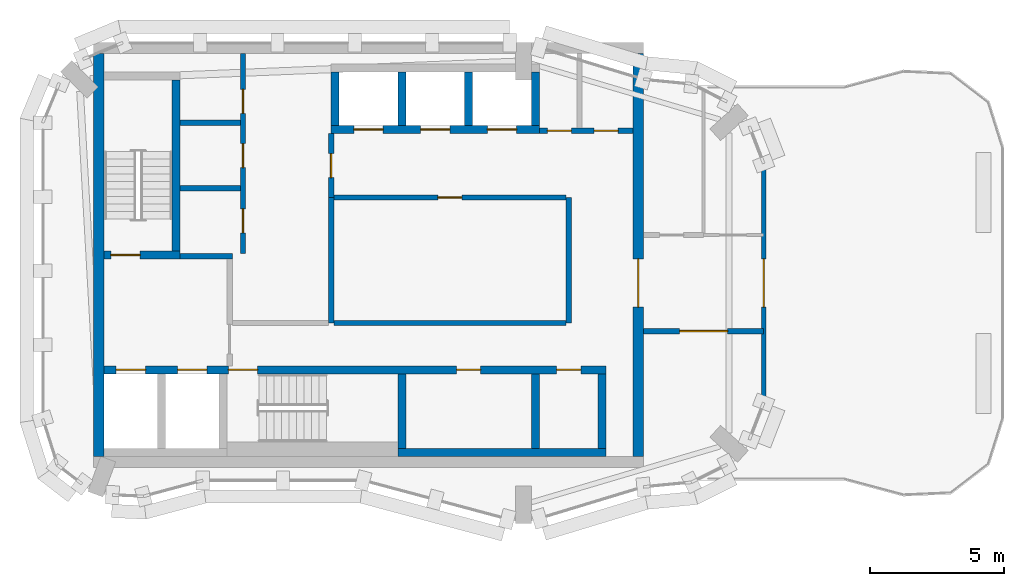
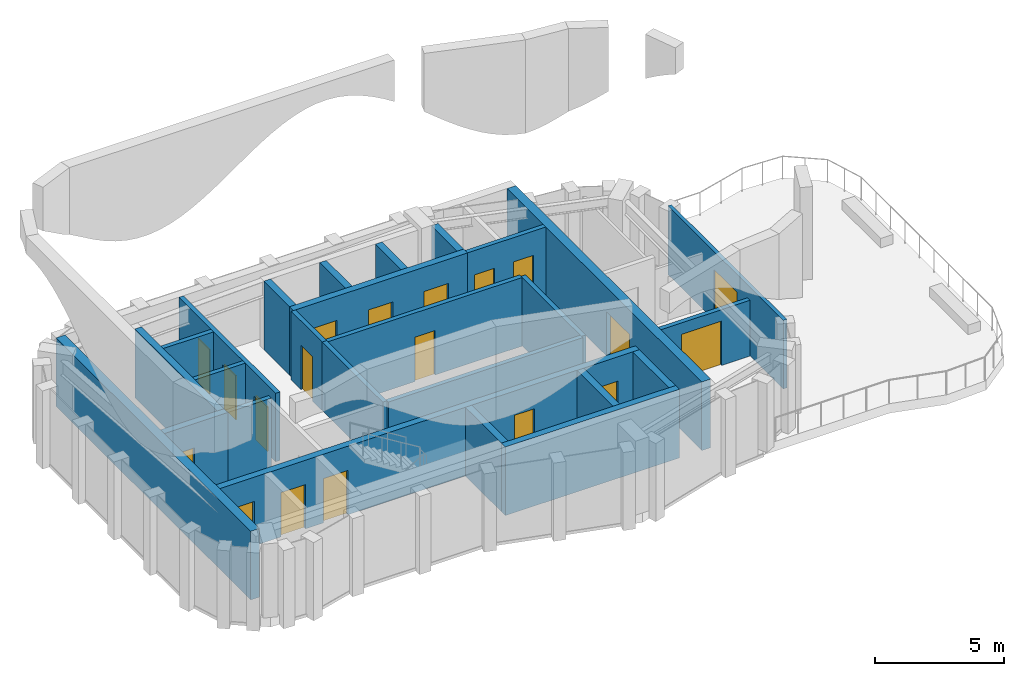
# One storey, part 3 of 7: 26 walls, 19 doors, 19 openings.
"""IFC4 building model written with IfcOpenShell, lengths in metres."""

from ifc_helpers import new_model, si_unit, direction, frame, frame_2d, origin, place, context, subcontext, project, spatial, rectangle, extrude, material, layer, layer_set, type_object, element, fill, save


model = new_model("IFC4")

# Units and contexts
model_context = context("Model", 3, precision=1e-05, world=origin(), true_north=direction((0.0, 1.0)))
body_context = subcontext(model_context, "Body", "Model", "MODEL_VIEW")
ifc_project = project(units=[si_unit("LENGTHUNIT", "METRE"), si_unit("AREAUNIT", "SQUARE_METRE"), si_unit("VOLUMEUNIT", "CUBIC_METRE"), si_unit("PLANEANGLEUNIT", "RADIAN"), si_unit("MASSUNIT", "GRAM", prefix="KILO")], contexts=[model_context])

# Site, building, storey
site_placement = place(None, origin())
site = spatial("IfcSite", under=ifc_project, at=site_placement, CompositionType="ELEMENT")
building_placement = place(site_placement, origin())
building = spatial("IfcBuilding", under=site, at=building_placement, Name="Plateau Cross Towers", CompositionType="ELEMENT")
storey_placement = place(building_placement, frame((0.0, 0.0, 301.89990234375)))
storey = spatial("IfcBuildingStorey", under=building, at=storey_placement, Name="L80 Crown 3", CompositionType="ELEMENT", Elevation=301.89990234375)

# Wall
ifc_material_1 = material(Name="Concrete block, plastered both sides", Category="concrete")
ifc_layer_1 = layer(ifc_material_1, 0.199951171875)
ifc_layer_set_1 = layer_set([ifc_layer_1], Name="Concrete block, plastered both sides")
wall_type_1 = type_object("IfcWallType", Name="Core partition 200", PredefinedType="PARTITIONING", material=ifc_layer_set_1)
wall_1_placement = place(storey_placement, frame((5.14990234375, 10.0, 0.0), z_axis=(0.0, 0.0, 1.0), x_axis=(1.0, 0.0, 0.0)))
element("IfcWall", 1, at=wall_1_placement, inside=storey, type_object=wall_type_1, Name="Core partition", PredefinedType="PARTITIONING", context=body_context, shape_type="SweptSolid", body=[
    extrude(rectangle(XDim=1.9501953125, YDim=0.199951171875, at=frame_2d((0.97509765625, 0.0))), origin(), (0.0, 0.0, 1.0), 3.25),
])

# Wall, opening, door
wall_2_placement = place(storey_placement, frame((10.800048828125, 12.199951171875, 0.0), z_axis=(0.0, 0.0, 1.0), x_axis=(0.0, 1.0, 0.0)))
wall_2 = element("IfcWall", 2, at=wall_2_placement, inside=storey, type_object=wall_type_1, Name="Core partition", PredefinedType="PARTITIONING", context=body_context, shape_type="SweptSolid", body=[
    extrude(rectangle(XDim=2.400146484375, YDim=0.199951171875, at=frame_2d((1.2001953125, 0.0))), origin(), (0.0, 0.0, 1.0), 3.25),
])
opening_1_placement = place(wall_2_placement, frame((0.75, 0.0, 0.0)))
opening_1 = element("IfcOpeningElement", 3, at=opening_1_placement, cuts=wall_2, Name="Opening RD1", PredefinedType="OPENING", context=body_context, shape_type="SweptSolid", body=[
    extrude(rectangle(XDim=0.89990234375, YDim=2.10009765625, at=frame_2d((0.449951171875, 1.050048828125))), frame((0.0, 0.10986328125, 0.0), z_axis=(0.0, -1.0, 0.0), x_axis=(1.0, 0.0, 0.0)), (0.0, 0.0, 1.0), 0.219970703125),
])
ifc_material_2 = material(Name="Timber, fire-resisting leaf", Category="wood")
door_type_1 = type_object("IfcDoorType", Name="Core service door 900", OperationType="NOTDEFINED", PredefinedType="DOOR", material=ifc_material_2)
door_1_placement = place(opening_1_placement, origin())
door_1 = element("IfcDoor", 4, at=door_1_placement, inside=storey, type_object=door_type_1, Name="Core service door RD1", OperationType="SINGLE_SWING_LEFT", OverallHeight=2.10009765625, OverallWidth=0.89990234375, PredefinedType="DOOR", context=body_context, shape_type="SweptSolid", body=[
    extrude(rectangle(XDim=0.89990234375, YDim=2.10009765625, at=frame_2d((0.449951171875, 1.050048828125))), frame((0.0, 0.02490234375, 0.0), z_axis=(0.0, -1.0, 0.0), x_axis=(1.0, 0.0, 0.0)), (0.0, 0.0, 1.0), 0.050048828125),
])
fill(opening_1, door_1)

# Walls
wall_3_placement = place(storey_placement, frame((10.800048828125, 7.5, 0.0), z_axis=(0.0, 0.0, 1.0), x_axis=(0.0, 1.0, 0.0)))
element("IfcWall", 5, at=wall_3_placement, inside=storey, type_object=wall_type_1, Name="Core partition", PredefinedType="PARTITIONING", context=body_context, shape_type="SweptSolid", body=[
    extrude(rectangle(XDim=4.699951171875, YDim=0.199951171875, at=frame_2d((2.35009765625, 0.0))), origin(), (0.0, 0.0, 1.0), 3.25),
])
wall_4_placement = place(storey_placement, frame((10.89990234375, 7.5, 0.0), z_axis=(0.0, 0.0, 1.0), x_axis=(1.0, 0.0, 0.0)))
element("IfcWall", 6, at=wall_4_placement, inside=storey, type_object=wall_type_1, Name="Core partition", PredefinedType="PARTITIONING", context=body_context, shape_type="SweptSolid", body=[
    extrude(rectangle(XDim=8.7001953125, YDim=0.199951171875, at=frame_2d((4.35009765625, 0.0))), origin(), (0.0, 0.0, 1.0), 3.25),
])
wall_5_placement = place(storey_placement, frame((19.699951171875, 7.5, 0.0), z_axis=(0.0, 0.0, 1.0), x_axis=(0.0, 1.0, 0.0)))
element("IfcWall", 7, at=wall_5_placement, inside=storey, type_object=wall_type_1, Name="Core partition", PredefinedType="PARTITIONING", context=body_context, shape_type="SweptSolid", body=[
    extrude(rectangle(XDim=4.699951171875, YDim=0.199951171875, at=frame_2d((2.35009765625, 0.0))), origin(), (0.0, 0.0, 1.0), 3.25),
])

# Wall, opening, door
wall_6_placement = place(storey_placement, frame((10.89990234375, 12.199951171875, 0.0), z_axis=(0.0, 0.0, 1.0), x_axis=(1.0, 0.0, 0.0)))
wall_6 = element("IfcWall", 8, at=wall_6_placement, inside=storey, type_object=wall_type_1, Name="Core partition", PredefinedType="PARTITIONING", context=body_context, shape_type="SweptSolid", body=[
    extrude(rectangle(XDim=8.7001953125, YDim=0.199951171875, at=frame_2d((4.35009765625, 0.0))), origin(), (0.0, 0.0, 1.0), 3.25),
])
opening_2_placement = place(wall_6_placement, frame((3.89990234375, 0.0, 0.0)))
opening_2 = element("IfcOpeningElement", 9, at=opening_2_placement, cuts=wall_6, Name="Opening RD1", PredefinedType="OPENING", context=body_context, shape_type="SweptSolid", body=[
    extrude(rectangle(XDim=0.89990234375, YDim=2.10009765625, at=frame_2d((0.449951171875, 1.050048828125))), frame((0.0, 0.10986328125, 0.0), z_axis=(0.0, -1.0, 0.0), x_axis=(1.0, 0.0, 0.0)), (0.0, 0.0, 1.0), 0.219970703125),
])
door_2_placement = place(opening_2_placement, origin())
door_2 = element("IfcDoor", 10, at=door_2_placement, inside=storey, type_object=door_type_1, Name="Core service door RD1", OperationType="SINGLE_SWING_LEFT", OverallHeight=2.10009765625, OverallWidth=0.89990234375, PredefinedType="DOOR", context=body_context, shape_type="SweptSolid", body=[
    extrude(rectangle(XDim=0.89990234375, YDim=2.10009765625, at=frame_2d((0.449951171875, 1.050048828125))), frame((0.0, 0.02490234375, 0.0), z_axis=(0.0, -1.0, 0.0), x_axis=(1.0, 0.0, 0.0)), (0.0, 0.0, 1.0), 0.050048828125),
])
fill(opening_2, door_2)

# Wall, openings, doors
wall_7_placement = place(storey_placement, frame((7.5, 10.10009765625, 0.0), z_axis=(0.0, 0.0, 1.0), x_axis=(0.0, 1.0, 0.0)))
wall_7 = element("IfcWall", 11, at=wall_7_placement, inside=storey, type_object=wall_type_1, Name="Core partition", PredefinedType="PARTITIONING", context=body_context, shape_type="SweptSolid", body=[
    extrude(rectangle(XDim=7.5, YDim=0.199951171875, at=frame_2d((3.75, 0.0))), origin(), (0.0, 0.0, 1.0), 3.25),
])
opening_3_placement = place(wall_7_placement, frame((0.77490234375, 0.0, 0.0)))
opening_3 = element("IfcOpeningElement", 12, at=opening_3_placement, cuts=wall_7, Name="Opening RD1", PredefinedType="OPENING", context=body_context, shape_type="SweptSolid", body=[
    extrude(rectangle(XDim=0.89990234375, YDim=2.10009765625, at=frame_2d((0.449951171875, 1.050048828125))), frame((0.0, 0.10986328125, 0.0), z_axis=(0.0, -1.0, 0.0), x_axis=(1.0, 0.0, 0.0)), (0.0, 0.0, 1.0), 0.219970703125),
])
opening_4_placement = place(wall_7_placement, frame((3.22509765625, 0.0, 0.0)))
opening_4 = element("IfcOpeningElement", 13, at=opening_4_placement, cuts=wall_7, Name="Opening RD1", PredefinedType="OPENING", context=body_context, shape_type="SweptSolid", body=[
    extrude(rectangle(XDim=0.89990234375, YDim=2.10009765625, at=frame_2d((0.449951171875, 1.050048828125))), frame((0.0, 0.10986328125, 0.0), z_axis=(0.0, -1.0, 0.0), x_axis=(1.0, 0.0, 0.0)), (0.0, 0.0, 1.0), 0.219970703125),
])
opening_5_placement = place(wall_7_placement, frame((5.25, 0.0, 0.0)))
opening_5 = element("IfcOpeningElement", 14, at=opening_5_placement, cuts=wall_7, Name="Opening RD1", PredefinedType="OPENING", context=body_context, shape_type="SweptSolid", body=[
    extrude(rectangle(XDim=0.89990234375, YDim=2.10009765625, at=frame_2d((0.449951171875, 1.050048828125))), frame((0.0, 0.10986328125, 0.0), z_axis=(0.0, -1.0, 0.0), x_axis=(1.0, 0.0, 0.0)), (0.0, 0.0, 1.0), 0.219970703125),
])
door_3_placement = place(opening_3_placement, origin())
door_3 = element("IfcDoor", 15, at=door_3_placement, inside=storey, type_object=door_type_1, Name="Core service door RD1", OperationType="SINGLE_SWING_RIGHT", OverallHeight=2.10009765625, OverallWidth=0.89990234375, PredefinedType="DOOR", context=body_context, shape_type="SweptSolid", body=[
    extrude(rectangle(XDim=0.89990234375, YDim=2.10009765625, at=frame_2d((0.449951171875, 1.050048828125))), frame((0.0, 0.02490234375, 0.0), z_axis=(0.0, -1.0, 0.0), x_axis=(1.0, 0.0, 0.0)), (0.0, 0.0, 1.0), 0.050048828125),
])
fill(opening_3, door_3)
door_4_placement = place(opening_4_placement, origin())
door_4 = element("IfcDoor", 16, at=door_4_placement, inside=storey, type_object=door_type_1, Name="Core service door RD1", OperationType="SINGLE_SWING_RIGHT", OverallHeight=2.10009765625, OverallWidth=0.89990234375, PredefinedType="DOOR", context=body_context, shape_type="SweptSolid", body=[
    extrude(rectangle(XDim=0.89990234375, YDim=2.10009765625, at=frame_2d((0.449951171875, 1.050048828125))), frame((0.0, 0.02490234375, 0.0), z_axis=(0.0, -1.0, 0.0), x_axis=(1.0, 0.0, 0.0)), (0.0, 0.0, 1.0), 0.050048828125),
])
fill(opening_4, door_4)
door_5_placement = place(opening_5_placement, origin())
door_5 = element("IfcDoor", 17, at=door_5_placement, inside=storey, type_object=door_type_1, Name="Core service door RD1", OperationType="SINGLE_SWING_RIGHT", OverallHeight=2.10009765625, OverallWidth=0.89990234375, PredefinedType="DOOR", context=body_context, shape_type="SweptSolid", body=[
    extrude(rectangle(XDim=0.89990234375, YDim=2.10009765625, at=frame_2d((0.449951171875, 1.050048828125))), frame((0.0, 0.02490234375, 0.0), z_axis=(0.0, -1.0, 0.0), x_axis=(1.0, 0.0, 0.0)), (0.0, 0.0, 1.0), 0.050048828125),
])
fill(opening_5, door_5)

# Walls
for number, where, z_axis, x_axis, name in (
    (18, (5.14990234375, 12.550048828125, 0.0), (0.0, 0.0, 1.0), (1.0, 0.0, 0.0), "Core partition"),
    (19, (5.14990234375, 15.0, 0.0), (0.0, 0.0, 1.0), (1.0, 0.0, 0.0), "Core partition"),
):
    element("IfcWall", number, at=place(storey_placement, frame(where, z_axis=z_axis, x_axis=x_axis)), inside=storey, type_object=wall_type_1, Name=name, PredefinedType="PARTITIONING", context=body_context, shape_type="SweptSolid", body=[
        extrude(rectangle(XDim=2.25, YDim=0.199951171875, at=frame_2d((1.125, 0.0))), origin(), (0.0, 0.0, 1.0), 3.25),
    ])

# Wall, openings, doors
wall_8_placement = place(storey_placement, frame((18.60009765625, 14.699951171875, 0.0), z_axis=(0.0, 0.0, 1.0), x_axis=(1.0, 0.0, 0.0)))
wall_8 = element("IfcWall", 20, at=wall_8_placement, inside=storey, type_object=wall_type_1, Name="Core partition", PredefinedType="PARTITIONING", context=body_context, shape_type="SweptSolid", body=[
    extrude(rectangle(XDim=3.5, YDim=0.199951171875, at=frame_2d((1.75, 0.0))), origin(), (0.0, 0.0, 1.0), 3.25),
])
opening_6_placement = place(wall_8_placement, frame((0.300048828125, 0.0, 0.0)))
opening_6 = element("IfcOpeningElement", 21, at=opening_6_placement, cuts=wall_8, Name="Opening RD2", PredefinedType="OPENING", context=body_context, shape_type="SweptSolid", body=[
    extrude(rectangle(XDim=0.89990234375, YDim=2.10009765625, at=frame_2d((0.449951171875, 1.050048828125))), frame((0.0, 0.10986328125, 0.0), z_axis=(0.0, -1.0, 0.0), x_axis=(1.0, 0.0, 0.0)), (0.0, 0.0, 1.0), 0.219970703125),
])
opening_7_placement = place(wall_8_placement, frame((2.050048828125, 0.0, 0.0)))
opening_7 = element("IfcOpeningElement", 22, at=opening_7_placement, cuts=wall_8, Name="Opening RD2", PredefinedType="OPENING", context=body_context, shape_type="SweptSolid", body=[
    extrude(rectangle(XDim=0.89990234375, YDim=2.10009765625, at=frame_2d((0.449951171875, 1.050048828125))), frame((0.0, 0.10986328125, 0.0), z_axis=(0.0, -1.0, 0.0), x_axis=(1.0, 0.0, 0.0)), (0.0, 0.0, 1.0), 0.219970703125),
])
ifc_material_3 = material(Name="Steel, fire-resisting leaf", Category="steel")
door_type_2 = type_object("IfcDoorType", Name="Core riser door 900", OperationType="NOTDEFINED", PredefinedType="DOOR", material=ifc_material_3)
door_6_placement = place(opening_6_placement, origin())
door_6 = element("IfcDoor", 23, at=door_6_placement, inside=storey, type_object=door_type_2, Name="Core riser door RD2", OperationType="SINGLE_SWING_LEFT", OverallHeight=2.10009765625, OverallWidth=0.89990234375, PredefinedType="DOOR", context=body_context, shape_type="SweptSolid", body=[
    extrude(rectangle(XDim=0.89990234375, YDim=2.10009765625, at=frame_2d((0.449951171875, 1.050048828125))), frame((0.0, 0.02490234375, 0.0), z_axis=(0.0, -1.0, 0.0), x_axis=(1.0, 0.0, 0.0)), (0.0, 0.0, 1.0), 0.050048828125),
])
fill(opening_6, door_6)
door_7_placement = place(opening_7_placement, origin())
door_7 = element("IfcDoor", 24, at=door_7_placement, inside=storey, type_object=door_type_2, Name="Core riser door RD2", OperationType="SINGLE_SWING_LEFT", OverallHeight=2.10009765625, OverallWidth=0.89990234375, PredefinedType="DOOR", context=body_context, shape_type="SweptSolid", body=[
    extrude(rectangle(XDim=0.89990234375, YDim=2.10009765625, at=frame_2d((0.449951171875, 1.050048828125))), frame((0.0, 0.02490234375, 0.0), z_axis=(0.0, -1.0, 0.0), x_axis=(1.0, 0.0, 0.0)), (0.0, 0.0, 1.0), 0.050048828125),
])
fill(opening_7, door_7)

# Walls
ifc_material_4 = material(Name="Concrete C60/75", Category="concrete")
ifc_layer_2 = layer(ifc_material_4, 0.300048828125)
ifc_layer_set_2 = layer_set([ifc_layer_2], Name="Concrete C60/75")
wall_type_2 = type_object("IfcWallType", Name="Core shaft wall 300", PredefinedType="SHEAR", material=ifc_layer_set_2)
wall_9_placement = place(storey_placement, frame((13.300048828125, 2.64990234375, 0.0), z_axis=(0.0, 0.0, 1.0), x_axis=(1.0, 0.0, 0.0)))
element("IfcWall", 25, at=wall_9_placement, inside=storey, type_object=wall_type_2, Name="A-sb-back3@L80 Crown 3", PredefinedType="SHEAR", context=body_context, shape_type="SweptSolid", body=[
    extrude(rectangle(XDim=7.800048828125, YDim=0.300048828125, at=frame_2d((3.89990234375, 0.0))), origin(), (0.0, 0.0, 1.0), 3.25),
])
for number, where, z_axis, x_axis, name in (
    (26, (13.449951171875, 2.800048828125, 0.0), (0.0, 0.0, 1.0), (0.0, 1.0, 0.0), "A-sb-v3@L80 Crown 3"),
    (27, (18.449951171875, 2.800048828125, 0.0), (0.0, 0.0, 1.0), (0.0, 1.0, 0.0), "A-sb-v5@L80 Crown 3"),
    (28, (20.949951171875, 2.800048828125, 0.0), (0.0, 0.0, 1.0), (0.0, 1.0, 0.0), "A-sb-v6@L80 Crown 3"),
):
    element("IfcWall", number, at=place(storey_placement, frame(where, z_axis=z_axis, x_axis=x_axis)), inside=storey, type_object=wall_type_2, Name=name, PredefinedType="SHEAR", context=body_context, shape_type="SweptSolid", body=[
        extrude(rectangle(XDim=2.800048828125, YDim=0.300048828125, at=frame_2d((1.39990234375, 0.0))), origin(), (0.0, 0.0, 1.0), 3.25),
    ])

# Wall, openings, doors
wall_10_placement = place(storey_placement, frame((2.300048828125, 5.75, 0.0), z_axis=(0.0, 0.0, 1.0), x_axis=(1.0, 0.0, 0.0)))
wall_10 = element("IfcWall", 29, at=wall_10_placement, inside=storey, type_object=wall_type_2, Name="A-sb-front@L80 Crown 3", PredefinedType="SHEAR", context=body_context, shape_type="SweptSolid", body=[
    extrude(rectangle(XDim=18.800048828125, YDim=0.300048828125, at=frame_2d((9.39990234375, 0.0))), origin(), (0.0, 0.0, 1.0), 3.25),
])
opening_8_placement = place(wall_10_placement, frame((4.64990234375, 0.0, 0.0)))
opening_8 = element("IfcOpeningElement", 30, at=opening_8_placement, cuts=wall_10, Name="Opening SD", PredefinedType="OPENING", context=body_context, shape_type="SweptSolid", body=[
    extrude(rectangle(XDim=1.10009765625, YDim=2.10009765625, at=frame_2d((0.550048828125, 1.050048828125))), frame((0.0, 0.159912109375, 0.0), z_axis=(0.0, -1.0, 0.0), x_axis=(1.0, 0.0, 0.0)), (0.0, 0.0, 1.0), 0.320068359375),
])
opening_9_placement = place(wall_10_placement, frame((0.449951171875, 0.0, 0.0)))
opening_9 = element("IfcOpeningElement", 31, at=opening_9_placement, cuts=wall_10, Name="Opening LD", PredefinedType="OPENING", context=body_context, shape_type="SweptSolid", body=[
    extrude(rectangle(XDim=1.10009765625, YDim=2.10009765625, at=frame_2d((0.550048828125, 1.050048828125))), frame((0.0, 0.159912109375, 0.0), z_axis=(0.0, -1.0, 0.0), x_axis=(1.0, 0.0, 0.0)), (0.0, 0.0, 1.0), 0.320068359375),
])
opening_10_placement = place(wall_10_placement, frame((2.75, 0.0, 0.0)))
opening_10 = element("IfcOpeningElement", 32, at=opening_10_placement, cuts=wall_10, Name="Opening LD", PredefinedType="OPENING", context=body_context, shape_type="SweptSolid", body=[
    extrude(rectangle(XDim=1.10009765625, YDim=2.10009765625, at=frame_2d((0.550048828125, 1.050048828125))), frame((0.0, 0.159912109375, 0.0), z_axis=(0.0, -1.0, 0.0), x_axis=(1.0, 0.0, 0.0)), (0.0, 0.0, 1.0), 0.320068359375),
])
opening_11_placement = place(wall_10_placement, frame((13.199951171875, 0.0, 0.0)))
opening_11 = element("IfcOpeningElement", 33, at=opening_11_placement, cuts=wall_10, Name="Opening RD2", PredefinedType="OPENING", context=body_context, shape_type="SweptSolid", body=[
    extrude(rectangle(XDim=0.89990234375, YDim=2.10009765625, at=frame_2d((0.449951171875, 1.050048828125))), frame((0.0, 0.159912109375, 0.0), z_axis=(0.0, -1.0, 0.0), x_axis=(1.0, 0.0, 0.0)), (0.0, 0.0, 1.0), 0.320068359375),
])
opening_12_placement = place(wall_10_placement, frame((16.949951171875, 0.0, 0.0)))
opening_12 = element("IfcOpeningElement", 34, at=opening_12_placement, cuts=wall_10, Name="Opening RD2", PredefinedType="OPENING", context=body_context, shape_type="SweptSolid", body=[
    extrude(rectangle(XDim=0.89990234375, YDim=2.10009765625, at=frame_2d((0.449951171875, 1.050048828125))), frame((0.0, 0.159912109375, 0.0), z_axis=(0.0, -1.0, 0.0), x_axis=(1.0, 0.0, 0.0)), (0.0, 0.0, 1.0), 0.320068359375),
])
door_8_placement = place(opening_11_placement, origin())
door_8 = element("IfcDoor", 35, at=door_8_placement, inside=storey, type_object=door_type_2, Name="Core riser door RD2", OperationType="SINGLE_SWING_LEFT", OverallHeight=2.10009765625, OverallWidth=0.89990234375, PredefinedType="DOOR", context=body_context, shape_type="SweptSolid", body=[
    extrude(rectangle(XDim=0.89990234375, YDim=2.10009765625, at=frame_2d((0.449951171875, 1.050048828125))), frame((0.0, 0.02490234375, 0.0), z_axis=(0.0, -1.0, 0.0), x_axis=(1.0, 0.0, 0.0)), (0.0, 0.0, 1.0), 0.050048828125),
])
fill(opening_11, door_8)
door_9_placement = place(opening_12_placement, origin())
door_9 = element("IfcDoor", 36, at=door_9_placement, inside=storey, type_object=door_type_2, Name="Core riser door RD2", OperationType="SINGLE_SWING_LEFT", OverallHeight=2.10009765625, OverallWidth=0.89990234375, PredefinedType="DOOR", context=body_context, shape_type="SweptSolid", body=[
    extrude(rectangle(XDim=0.89990234375, YDim=2.10009765625, at=frame_2d((0.449951171875, 1.050048828125))), frame((0.0, 0.02490234375, 0.0), z_axis=(0.0, -1.0, 0.0), x_axis=(1.0, 0.0, 0.0)), (0.0, 0.0, 1.0), 0.050048828125),
])
fill(opening_12, door_9)
ifc_material_5 = material(Name="Stainless steel, fire-resisting sliding leaves", Category="steel")
door_type_3 = type_object("IfcDoorType", Name="Lift landing door 1100", OperationType="NOTDEFINED", PredefinedType="DOOR", material=ifc_material_5)
door_10_placement = place(opening_9_placement, origin())
door_10 = element("IfcDoor", 37, at=door_10_placement, inside=storey, type_object=door_type_3, Name="Lift landing door LD", OperationType="DOUBLE_DOOR_SLIDING", OverallHeight=2.10009765625, OverallWidth=1.10009765625, PredefinedType="DOOR", context=body_context, shape_type="SweptSolid", body=[
    extrude(rectangle(XDim=1.10009765625, YDim=2.10009765625, at=frame_2d((0.550048828125, 1.050048828125))), frame((0.0, 0.02490234375, 0.0), z_axis=(0.0, -1.0, 0.0), x_axis=(1.0, 0.0, 0.0)), (0.0, 0.0, 1.0), 0.050048828125),
])
fill(opening_9, door_10)
door_11_placement = place(opening_10_placement, origin())
door_11 = element("IfcDoor", 38, at=door_11_placement, inside=storey, type_object=door_type_3, Name="Lift landing door LD", OperationType="DOUBLE_DOOR_SLIDING", OverallHeight=2.10009765625, OverallWidth=1.10009765625, PredefinedType="DOOR", context=body_context, shape_type="SweptSolid", body=[
    extrude(rectangle(XDim=1.10009765625, YDim=2.10009765625, at=frame_2d((0.550048828125, 1.050048828125))), frame((0.0, 0.02490234375, 0.0), z_axis=(0.0, -1.0, 0.0), x_axis=(1.0, 0.0, 0.0)), (0.0, 0.0, 1.0), 0.050048828125),
])
fill(opening_10, door_11)
door_type_4 = type_object("IfcDoorType", Name="Stair door 1100", OperationType="NOTDEFINED", PredefinedType="DOOR", material=ifc_material_3)
door_12_placement = place(opening_8_placement, origin())
door_12 = element("IfcDoor", 39, at=door_12_placement, inside=storey, type_object=door_type_4, Name="Stair door SD", OperationType="SINGLE_SWING_LEFT", OverallHeight=2.10009765625, OverallWidth=1.10009765625, PredefinedType="DOOR", context=body_context, shape_type="SweptSolid", body=[
    extrude(rectangle(XDim=1.10009765625, YDim=2.10009765625, at=frame_2d((0.550048828125, 1.050048828125))), frame((0.0, 0.02490234375, 0.0), z_axis=(0.0, -1.0, 0.0), x_axis=(1.0, 0.0, 0.0)), (0.0, 0.0, 1.0), 0.050048828125),
])
fill(opening_8, door_12)

# Wall, opening, door
wall_11_placement = place(storey_placement, frame((2.300048828125, 10.050048828125, 0.0), z_axis=(0.0, 0.0, 1.0), x_axis=(1.0, 0.0, 0.0)))
wall_11 = element("IfcWall", 40, at=wall_11_placement, inside=storey, type_object=wall_type_2, Name="A-st1-S@L80 Crown 3", PredefinedType="SHEAR", context=body_context, shape_type="SweptSolid", body=[
    extrude(rectangle(XDim=2.849853515625, YDim=0.300048828125, at=frame_2d((1.4248046875, 0.0))), origin(), (0.0, 0.0, 1.0), 3.25),
])
opening_13_placement = place(wall_11_placement, frame((0.25, 0.0, 0.0)))
opening_13 = element("IfcOpeningElement", 41, at=opening_13_placement, cuts=wall_11, Name="Opening SD", PredefinedType="OPENING", context=body_context, shape_type="SweptSolid", body=[
    extrude(rectangle(XDim=1.10009765625, YDim=2.10009765625, at=frame_2d((0.550048828125, 1.050048828125))), frame((0.0, 0.159912109375, 0.0), z_axis=(0.0, -1.0, 0.0), x_axis=(1.0, 0.0, 0.0)), (0.0, 0.0, 1.0), 0.320068359375),
])
door_13_placement = place(opening_13_placement, origin())
door_13 = element("IfcDoor", 42, at=door_13_placement, inside=storey, type_object=door_type_4, Name="Stair door SD", OperationType="SINGLE_SWING_RIGHT", OverallHeight=2.10009765625, OverallWidth=1.10009765625, PredefinedType="DOOR", context=body_context, shape_type="SweptSolid", body=[
    extrude(rectangle(XDim=1.10009765625, YDim=2.10009765625, at=frame_2d((0.550048828125, 1.050048828125))), frame((0.0, 0.02490234375, 0.0), z_axis=(0.0, -1.0, 0.0), x_axis=(1.0, 0.0, 0.0)), (0.0, 0.0, 1.0), 0.050048828125),
])
fill(opening_13, door_13)

# Wall
wall_12_placement = place(storey_placement, frame((5.0, 10.199951171875, 0.0), z_axis=(0.0, 0.0, 1.0), x_axis=(0.0, 1.0, 0.0)))
element("IfcWall", 43, at=wall_12_placement, inside=storey, type_object=wall_type_2, Name="A-st1-E@L80 Crown 3", PredefinedType="SHEAR", context=body_context, shape_type="SweptSolid", body=[
    extrude(rectangle(XDim=6.400146484375, YDim=0.300048828125, at=frame_2d((3.2001953125, 0.0))), origin(), (0.0, 0.0, 1.0), 3.25),
])

# Wall, openings, doors
wall_13_placement = place(storey_placement, frame((10.800048828125, 14.75, 0.0), z_axis=(0.0, 0.0, 1.0), x_axis=(1.0, 0.0, 0.0)))
wall_13 = element("IfcWall", 44, at=wall_13_placement, inside=storey, type_object=wall_type_2, Name="A-nb-front@L80 Crown 3", PredefinedType="SHEAR", context=body_context, shape_type="SweptSolid", body=[
    extrude(rectangle(XDim=7.800048828125, YDim=0.300048828125, at=frame_2d((3.89990234375, 0.0))), origin(), (0.0, 0.0, 1.0), 3.25),
])
opening_14_placement = place(wall_13_placement, frame((0.85009765625, 0.0, 0.0)))
opening_14 = element("IfcOpeningElement", 45, at=opening_14_placement, cuts=wall_13, Name="Opening LD", PredefinedType="OPENING", context=body_context, shape_type="SweptSolid", body=[
    extrude(rectangle(XDim=1.10009765625, YDim=2.10009765625, at=frame_2d((0.550048828125, 1.050048828125))), frame((0.0, 0.159912109375, 0.0), z_axis=(0.0, -1.0, 0.0), x_axis=(1.0, 0.0, 0.0)), (0.0, 0.0, 1.0), 0.320068359375),
])
opening_15_placement = place(wall_13_placement, frame((3.35009765625, 0.0, 0.0)))
opening_15 = element("IfcOpeningElement", 46, at=opening_15_placement, cuts=wall_13, Name="Opening LD", PredefinedType="OPENING", context=body_context, shape_type="SweptSolid", body=[
    extrude(rectangle(XDim=1.10009765625, YDim=2.10009765625, at=frame_2d((0.550048828125, 1.050048828125))), frame((0.0, 0.159912109375, 0.0), z_axis=(0.0, -1.0, 0.0), x_axis=(1.0, 0.0, 0.0)), (0.0, 0.0, 1.0), 0.320068359375),
])
opening_16_placement = place(wall_13_placement, frame((5.85009765625, 0.0, 0.0)))
opening_16 = element("IfcOpeningElement", 47, at=opening_16_placement, cuts=wall_13, Name="Opening LD", PredefinedType="OPENING", context=body_context, shape_type="SweptSolid", body=[
    extrude(rectangle(XDim=1.10009765625, YDim=2.10009765625, at=frame_2d((0.550048828125, 1.050048828125))), frame((0.0, 0.159912109375, 0.0), z_axis=(0.0, -1.0, 0.0), x_axis=(1.0, 0.0, 0.0)), (0.0, 0.0, 1.0), 0.320068359375),
])
door_14_placement = place(opening_14_placement, origin())
door_14 = element("IfcDoor", 48, at=door_14_placement, inside=storey, type_object=door_type_3, Name="Lift landing door LD", OperationType="DOUBLE_DOOR_SLIDING", OverallHeight=2.10009765625, OverallWidth=1.10009765625, PredefinedType="DOOR", context=body_context, shape_type="SweptSolid", body=[
    extrude(rectangle(XDim=1.10009765625, YDim=2.10009765625, at=frame_2d((0.550048828125, 1.050048828125))), frame((0.0, 0.02490234375, 0.0), z_axis=(0.0, -1.0, 0.0), x_axis=(1.0, 0.0, 0.0)), (0.0, 0.0, 1.0), 0.050048828125),
])
fill(opening_14, door_14)
door_15_placement = place(opening_15_placement, origin())
door_15 = element("IfcDoor", 49, at=door_15_placement, inside=storey, type_object=door_type_3, Name="Lift landing door LD", OperationType="DOUBLE_DOOR_SLIDING", OverallHeight=2.10009765625, OverallWidth=1.10009765625, PredefinedType="DOOR", context=body_context, shape_type="SweptSolid", body=[
    extrude(rectangle(XDim=1.10009765625, YDim=2.10009765625, at=frame_2d((0.550048828125, 1.050048828125))), frame((0.0, 0.02490234375, 0.0), z_axis=(0.0, -1.0, 0.0), x_axis=(1.0, 0.0, 0.0)), (0.0, 0.0, 1.0), 0.050048828125),
])
fill(opening_15, door_15)
door_16_placement = place(opening_16_placement, origin())
door_16 = element("IfcDoor", 50, at=door_16_placement, inside=storey, type_object=door_type_3, Name="Lift landing door LD", OperationType="DOUBLE_DOOR_SLIDING", OverallHeight=2.10009765625, OverallWidth=1.10009765625, PredefinedType="DOOR", context=body_context, shape_type="SweptSolid", body=[
    extrude(rectangle(XDim=1.10009765625, YDim=2.10009765625, at=frame_2d((0.550048828125, 1.050048828125))), frame((0.0, 0.02490234375, 0.0), z_axis=(0.0, -1.0, 0.0), x_axis=(1.0, 0.0, 0.0)), (0.0, 0.0, 1.0), 0.050048828125),
])
fill(opening_16, door_16)

# Walls
for number, where, z_axis, x_axis, name in (
    (51, (10.949951171875, 14.89990234375, 0.0), (0.0, 0.0, 1.0), (0.0, 1.0, 0.0), "A-nb-v1@L80 Crown 3"),
    (52, (13.449951171875, 14.89990234375, 0.0), (0.0, 0.0, 1.0), (0.0, 1.0, 0.0), "A-nb-v2@L80 Crown 3"),
    (53, (15.949951171875, 14.89990234375, 0.0), (0.0, 0.0, 1.0), (0.0, 1.0, 0.0), "A-nb-v3@L80 Crown 3"),
    (54, (18.449951171875, 14.89990234375, 0.0), (0.0, 0.0, 1.0), (0.0, 1.0, 0.0), "A-nb-v4@L80 Crown 3"),
):
    element("IfcWall", number, at=place(storey_placement, frame(where, z_axis=z_axis, x_axis=x_axis)), inside=storey, type_object=wall_type_2, Name=name, PredefinedType="SHEAR", context=body_context, shape_type="SweptSolid", body=[
        extrude(rectangle(XDim=2.0, YDim=0.300048828125, at=frame_2d((1.0, 0.0))), origin(), (0.0, 0.0, 1.0), 3.25),
    ])
ifc_layer_3 = layer(ifc_material_4, 0.39990234375)
ifc_layer_set_3 = layer_set([ifc_layer_3], Name="Concrete C60/75")
wall_type_3 = type_object("IfcWallType", Name="Core shell wall 400", PredefinedType="SHEAR", material=ifc_layer_set_3)
wall_14_placement = place(storey_placement, frame((2.10009765625, 2.5, 0.0), z_axis=(0.0, 0.0, 1.0), x_axis=(0.0, 1.0, 0.0)))
element("IfcWall", 55, at=wall_14_placement, inside=storey, type_object=wall_type_3, Name="A-core-W@L80 Crown 3", PredefinedType="SHEAR", context=body_context, shape_type="SweptSolid", body=[
    extrude(rectangle(XDim=15.10009765625, YDim=0.39990234375, at=frame_2d((7.550048828125, 0.0))), origin(), (0.0, 0.0, 1.0), 3.25),
])

# Wall, opening, door
wall_15_placement = place(storey_placement, frame((22.300048828125, 2.5, 0.0), z_axis=(0.0, 0.0, 1.0), x_axis=(0.0, 1.0, 0.0)))
wall_15 = element("IfcWall", 56, at=wall_15_placement, inside=storey, type_object=wall_type_3, Name="A-core-E@L80 Crown 3", PredefinedType="SHEAR", context=body_context, shape_type="SweptSolid", body=[
    extrude(rectangle(XDim=15.10009765625, YDim=0.39990234375, at=frame_2d((7.550048828125, 0.0))), origin(), (0.0, 0.0, 1.0), 3.25),
])
opening_17_placement = place(wall_15_placement, frame((5.60009765625, 0.0, 0.0)))
opening_17 = element("IfcOpeningElement", 57, at=opening_17_placement, cuts=wall_15, Name="Opening CD", PredefinedType="OPENING", context=body_context, shape_type="SweptSolid", body=[
    extrude(rectangle(XDim=1.800048828125, YDim=2.10009765625, at=frame_2d((0.89990234375, 1.050048828125))), frame((0.0, 0.2099609375, 0.0), z_axis=(0.0, -1.0, 0.0), x_axis=(1.0, 0.0, 0.0)), (0.0, 0.0, 1.0), 0.419921875),
])
ifc_material_6 = material(Name="Steel, fire-resisting leaves", Category="steel")
door_type_5 = type_object("IfcDoorType", Name="Corridor door pair 1800", OperationType="NOTDEFINED", PredefinedType="DOOR", material=ifc_material_6)
door_17_placement = place(opening_17_placement, origin())
door_17 = element("IfcDoor", 58, at=door_17_placement, inside=storey, type_object=door_type_5, Name="Corridor door pair CD", OperationType="DOUBLE_DOOR_SINGLE_SWING", OverallHeight=2.10009765625, OverallWidth=1.800048828125, PredefinedType="DOOR", context=body_context, shape_type="SweptSolid", body=[
    extrude(rectangle(XDim=1.800048828125, YDim=2.10009765625, at=frame_2d((0.89990234375, 1.050048828125))), frame((0.0, 0.02490234375, 0.0), z_axis=(0.0, -1.0, 0.0), x_axis=(1.0, 0.0, 0.0)), (0.0, 0.0, 1.0), 0.050048828125),
])
fill(opening_17, door_17)

ifc_material_7 = material(Name="Aluminium framed glazing", Category="aluminium")
ifc_layer_4 = layer(ifc_material_7, 0.159912109375)
ifc_layer_set_4 = layer_set([ifc_layer_4], Name="Aluminium framed glazing")
wall_type_4 = type_object("IfcWallType", Name="Entrance screen wall 160", PredefinedType="STANDARD", material=ifc_layer_set_4)
wall_16_placement = place(storey_placement, frame((27.0, 13.47705078125, 0.0), z_axis=(0.0, 0.0, 1.0), x_axis=(0.0, -1.0, 0.0)))
wall_16 = element("IfcWall", 59, at=wall_16_placement, inside=storey, type_object=wall_type_4, Name="Deck A1 screen wall", PredefinedType="STANDARD", context=body_context, shape_type="SweptSolid", body=[
    extrude(rectangle(XDim=8.9541015625, YDim=0.159912109375, at=frame_2d((4.47705078125, 0.0))), origin(), (0.0, 0.0, 1.0), 3.25),
])
opening_18_placement = place(wall_16_placement, frame((3.5771484375, 0.0, 0.0)))
opening_18 = element("IfcOpeningElement", 60, at=opening_18_placement, cuts=wall_16, Name="Opening XD1", PredefinedType="OPENING", context=body_context, shape_type="SweptSolid", body=[
    extrude(rectangle(XDim=1.800048828125, YDim=2.39990234375, at=frame_2d((0.89990234375, 1.199951171875))), frame((0.0, 0.08984375, 0.0), z_axis=(0.0, -1.0, 0.0), x_axis=(1.0, 0.0, 0.0)), (0.0, 0.0, 1.0), 0.179931640625),
])
door_type_6 = type_object("IfcDoorType", Name="Terrace door double leaf 1800x2400", OperationType="DOUBLE_DOOR_SINGLE_SWING", PredefinedType="DOOR", material=ifc_material_7)
door_18_placement = place(opening_18_placement, origin())
door_18 = element("IfcDoor", 61, at=door_18_placement, inside=storey, type_object=door_type_6, Name="Deck A1 door", OperationType="SINGLE_SWING_LEFT", OverallHeight=2.39990234375, OverallWidth=1.800048828125, PredefinedType="DOOR", context=body_context, shape_type="SweptSolid", body=[
    extrude(rectangle(XDim=1.800048828125, YDim=2.39990234375, at=frame_2d((0.89990234375, 1.199951171875))), frame((0.0, 0.02490234375, 0.0), z_axis=(0.0, -1.0, 0.0), x_axis=(1.0, 0.0, 0.0)), (0.0, 0.0, 1.0), 0.050048828125),
])
fill(opening_18, door_18)

ifc_material_8 = material(Name="Gypsum board on steel studs", Category="steel")
ifc_layer_5 = layer(ifc_material_8, 0.199951171875)
ifc_layer_set_5 = layer_set([ifc_layer_5], Name="Gypsum board on steel studs")
wall_type_5 = type_object("IfcWallType", Name="Podium partition 200", PredefinedType="PARTITIONING", material=ifc_layer_set_5)
wall_17_placement = place(storey_placement, frame((27.0, 7.199951171875, 0.0), z_axis=(0.0, 0.0, 1.0), x_axis=(-1.0, 0.0, 0.0)))
wall_17 = element("IfcWall", 62, at=wall_17_placement, inside=storey, type_object=wall_type_5, Name="Partition wall", PredefinedType="PARTITIONING", context=body_context, shape_type="SweptSolid", body=[
    extrude(rectangle(XDim=4.5, YDim=0.199951171875, at=frame_2d((2.25, 0.0))), origin(), (0.0, 0.0, 1.0), 2.64208984375),
])
opening_19_placement = place(wall_17_placement, frame((1.35009765625, 0.0, 0.0)))
opening_19 = element("IfcOpeningElement", 63, at=opening_19_placement, cuts=wall_17, Name="Opening 803-03", PredefinedType="OPENING", context=body_context, shape_type="SweptSolid", body=[
    extrude(rectangle(XDim=1.800048828125, YDim=2.10009765625, at=frame_2d((0.89990234375, 1.050048828125))), frame((0.0, 0.10986328125, 0.0), z_axis=(0.0, -1.0, 0.0), x_axis=(1.0, 0.0, 0.0)), (0.0, 0.0, 1.0), 0.219970703125),
])
ifc_material_9 = material(Name="Aluminium frame, toughened glass", Category="aluminium")
door_type_7 = type_object("IfcDoorType", Name="Podium door pair 1800", OperationType="NOTDEFINED", PredefinedType="DOOR", material=ifc_material_9)
door_19_placement = place(opening_19_placement, origin())
door_19 = element("IfcDoor", 64, at=door_19_placement, inside=storey, type_object=door_type_7, Name="Door 803-03", OperationType="DOUBLE_DOOR_SINGLE_SWING", OverallHeight=2.10009765625, OverallWidth=1.800048828125, PredefinedType="DOOR", context=body_context, shape_type="SweptSolid", body=[
    extrude(rectangle(XDim=1.800048828125, YDim=2.10009765625, at=frame_2d((0.89990234375, 1.050048828125))), frame((0.0, 0.02490234375, 0.0), z_axis=(0.0, -1.0, 0.0), x_axis=(1.0, 0.0, 0.0)), (0.0, 0.0, 1.0), 0.050048828125),
])
fill(opening_19, door_19)

save(model, "model.ifc")
